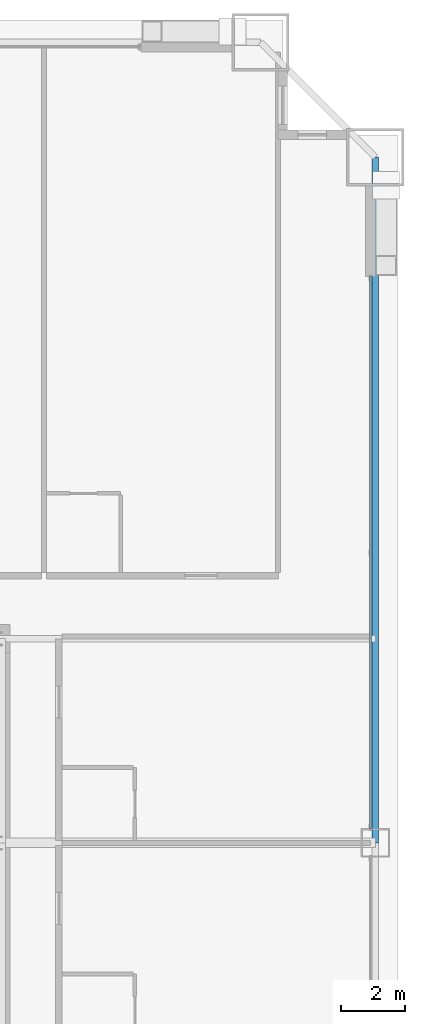
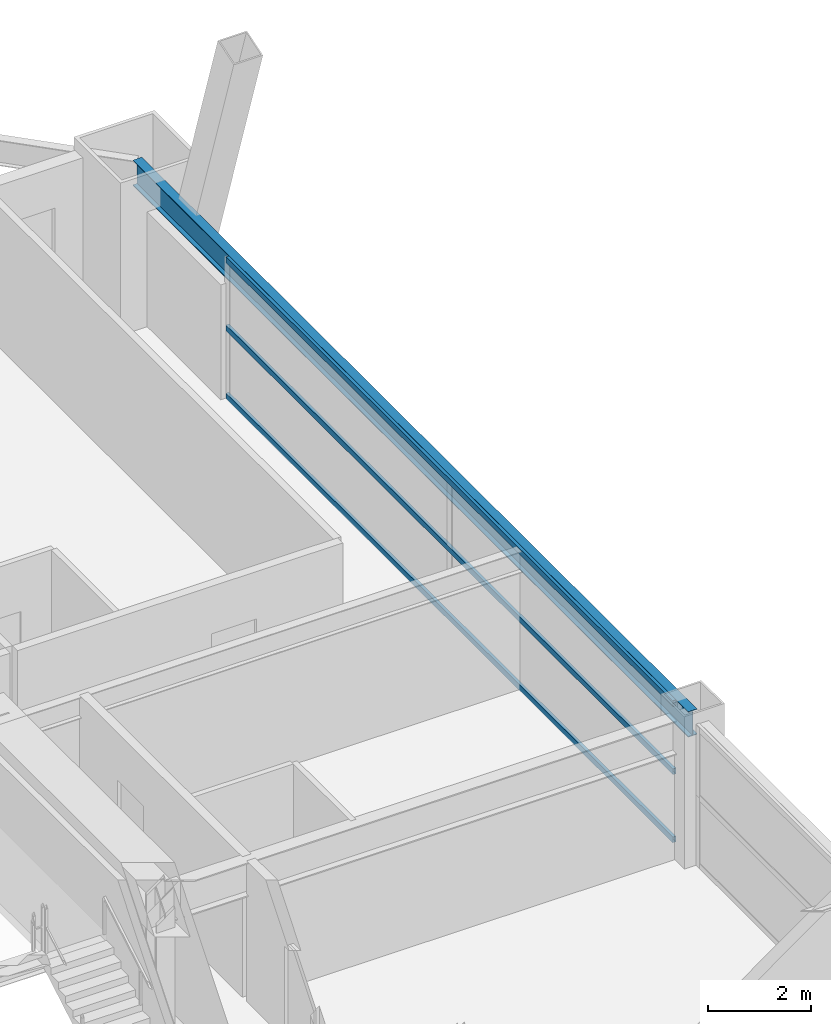
# One storey, part 33 of 43: 3 members, 1 beam, 1 element without a shape of its own.
"""IFC4 building model written with IfcOpenShell, lengths in metres."""

from ifc_helpers import new_model, si_unit, direction, frame, origin, origin_2d, place, context, subcontext, project, spatial, hollow_rectangle, i_section, extrude, source, transform, mapped, material, layer, layer_set, material_profile, profile_set, type_object, element, aggregate, save


model = new_model("IFC4")

# Units and contexts
model_context = context("Model", 3, precision=1e-05, world=origin(), true_north=direction((0.0, 1.0)))
body_context = subcontext(model_context, "Body", "Model", "MODEL_VIEW")
ifc_project = project(units=[si_unit("LENGTHUNIT", "METRE"), si_unit("AREAUNIT", "SQUARE_METRE"), si_unit("VOLUMEUNIT", "CUBIC_METRE"), si_unit("PLANEANGLEUNIT", "RADIAN"), si_unit("MASSUNIT", "GRAM", prefix="KILO"), si_unit("THERMODYNAMICTEMPERATUREUNIT", "KELVIN"), si_unit("POWERUNIT", "WATT")], contexts=[model_context])

# Site, building, storey
site_placement = place(None, origin())
site = spatial("IfcSite", under=ifc_project, at=site_placement, CompositionType="ELEMENT")
building_placement = place(site_placement, origin())
building = spatial("IfcBuilding", under=site, at=building_placement, Name="Yuzanri Waterfront Tower", CompositionType="ELEMENT")
storey_placement = place(building_placement, frame((0.0, 0.0, 37.800048828125)))
storey = spatial("IfcBuildingStorey", under=building, at=storey_placement, Name="L09", CompositionType="ELEMENT", Elevation=37.800048828125)

# Beam
ifc_material_1 = material(Name="Steel Q355B", Category="steel")
ifc_material_profile_1 = material_profile(ifc_material_1, i_section(OverallWidth=0.199951171875, OverallDepth=0.60009765625, WebThickness=0.010986328125, FlangeThickness=0.01708984375, at=origin_2d()), Name="HN 600x200x11x17")
ifc_profile_set_1 = profile_set([ifc_material_profile_1], Name="Steel Q355B")
beam_type = type_object("IfcBeamType", Name="Perimeter Spandrel Q355B HN 600x200", PredefinedType="SPANDREL", material=ifc_profile_set_1)
shared_shape_1 = source(origin(), body_context, "Body", "SweptSolid", [
    extrude(i_section(OverallWidth=0.199951171875, OverallDepth=0.60009765625, WebThickness=0.010986328125, FlangeThickness=0.01708984375, at=origin_2d()), origin(), (0.0, 0.0, 1.0), 21.5),
])
beam_placement = place(storey_placement, frame((62.10009765625, 25.800048828125, 3.02001953125), z_axis=(0.0, 1.0, 0.0), x_axis=(-1.0, 0.0, 0.0)))
element("IfcBeam", 1, at=beam_placement, inside=storey, type_object=beam_type, Name="L09 Perimeter Spandrel E2-E3", PredefinedType="SPANDREL", context=body_context, shape_type="MappedRepresentation", body=[
    mapped(shared_shape_1, transform((0.0, 0.0, 0.0), scale=1.0)),
])

# Curtain wall, members
ifc_material_2 = material(Name="Anodized Architectural Bronze", Category="metal")
ifc_layer = layer(ifc_material_2, 0.159912109375)
ifc_layer_set = layer_set([ifc_layer], Name="Anodized Architectural Bronze")
curtain_wall_type = type_object("IfcCurtainWallType", Name="Anodized Bronze Hotel Lower-Tier Recessed Unitized Curtain Wall 8100", PredefinedType="NOTDEFINED", material=ifc_layer_set)
curtain_wall_placement = place(storey_placement, origin())
curtain_wall = element("IfcCurtainWall", 2, at=curtain_wall_placement, inside=storey, type_object=curtain_wall_type, Name="L09 Curtain Wall CW-L09-ER", PredefinedType="NOTDEFINED")
ifc_material_3 = material(Name="Anodized Architectural Bronze", Category="metal")
ifc_material_profile_2 = material_profile(ifc_material_3, hollow_rectangle(XDim=0.070068359375, YDim=0.135009765625, WallThickness=0.00341796875, at=origin_2d()), Name="CWT 70x135")
ifc_profile_set_2 = profile_set([ifc_material_profile_2], Name="Anodized Architectural Bronze")
member_type = type_object("IfcMemberType", Name="Anodized Bronze Standard Curtain-Wall Transom 70x135", PredefinedType="USERDEFINED", material=ifc_profile_set_2)
shared_shape_2 = source(origin(), body_context, "Body", "SweptSolid", [
    extrude(hollow_rectangle(XDim=0.070068359375, YDim=0.135009765625, WallThickness=0.00341796875, at=origin_2d()), origin(), (0.0, 0.0, 1.0), 17.300048828125),
])
member_1_placement = place(storey_placement, frame((61.949951171875, 26.25, 0.050048828125), z_axis=(0.0, 1.0, 0.0), x_axis=(-1.0, 0.0, 0.0)))
member_1 = element("IfcMember", 3, at=member_1_placement, type_object=member_type, Name="CW-L09-ER Transom 1", ObjectType="TRANSOM", PredefinedType="USERDEFINED", context=body_context, shape_type="MappedRepresentation", body=[
    mapped(shared_shape_2, transform((0.0, 0.0, 0.0), scale=1.0)),
])
member_2_placement = place(storey_placement, frame((61.949951171875, 26.25, 1.659912109375), z_axis=(0.0, 1.0, 0.0), x_axis=(-1.0, 0.0, 0.0)))
member_2 = element("IfcMember", 4, at=member_2_placement, type_object=member_type, Name="CW-L09-ER Transom 2", ObjectType="TRANSOM", PredefinedType="USERDEFINED", context=body_context, shape_type="MappedRepresentation", body=[
    mapped(shared_shape_2, transform((0.0, 0.0, 0.0), scale=1.0)),
])
member_3_placement = place(storey_placement, frame((61.949951171875, 26.25, 3.27001953125), z_axis=(0.0, 1.0, 0.0), x_axis=(-1.0, 0.0, 0.0)))
member_3 = element("IfcMember", 5, at=member_3_placement, type_object=member_type, Name="CW-L09-ER Transom 3", ObjectType="TRANSOM", PredefinedType="USERDEFINED", context=body_context, shape_type="MappedRepresentation", body=[
    mapped(shared_shape_2, transform((0.0, 0.0, 0.0), scale=1.0)),
])
aggregate(curtain_wall, [member_1, member_2, member_3])

save(model, "model.ifc")
